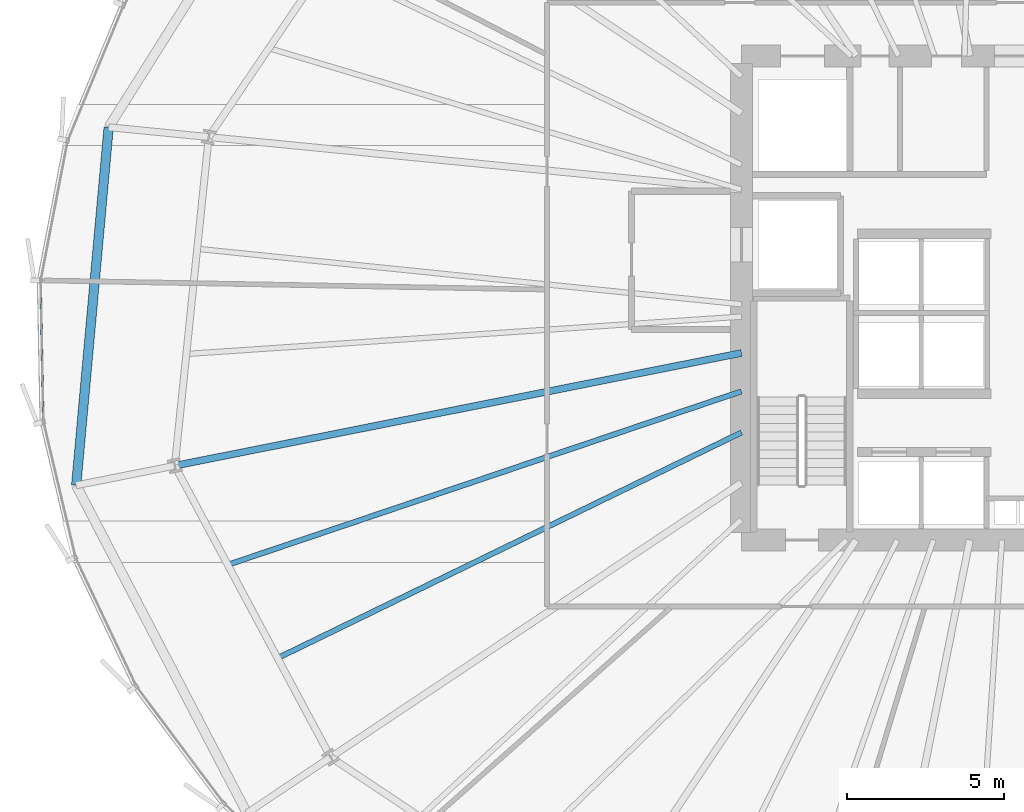
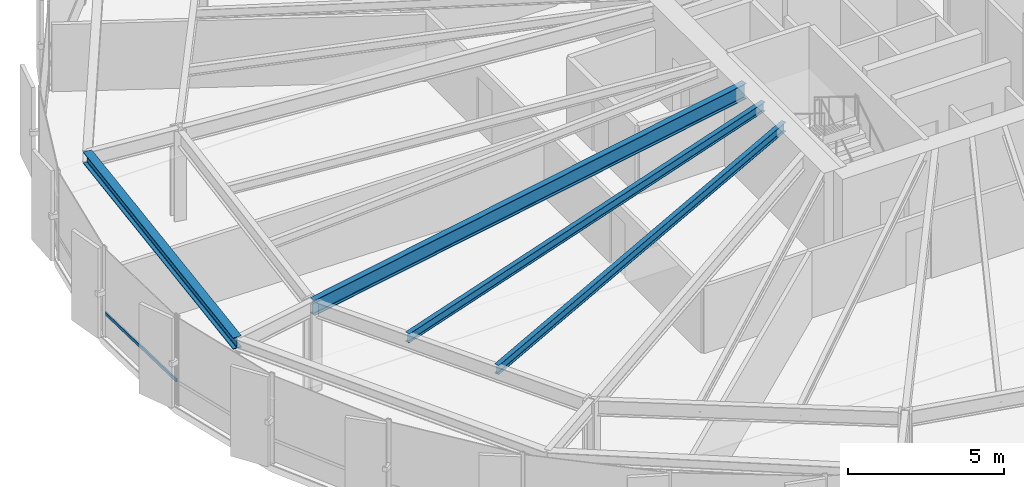
# One storey, part 8 of 37: 4 beams, 1 member, 1 element without a shape of its own.
"""IFC4 building model written with IfcOpenShell, lengths in metres."""

from ifc_helpers import new_model, si_unit, direction, frame, origin, origin_2d, place, context, subcontext, project, spatial, hollow_rectangle, i_section, extrude, source, transform, mapped, material, layer, layer_set, material_profile, profile_set, type_object, element, aggregate, save


model = new_model("IFC4")

# Units and contexts
model_context = context("Model", 3, precision=1e-05, world=origin(), true_north=direction((0.0, 1.0)))
body_context = subcontext(model_context, "Body", "Model", "MODEL_VIEW")
ifc_project = project(units=[si_unit("LENGTHUNIT", "METRE"), si_unit("AREAUNIT", "SQUARE_METRE"), si_unit("VOLUMEUNIT", "CUBIC_METRE"), si_unit("PLANEANGLEUNIT", "RADIAN"), si_unit("MASSUNIT", "GRAM", prefix="KILO"), si_unit("THERMODYNAMICTEMPERATUREUNIT", "KELVIN")], contexts=[model_context])

# Site, building, storey
site_placement = place(None, origin())
site = spatial("IfcSite", under=ifc_project, at=site_placement, CompositionType="ELEMENT")
building_placement = place(site_placement, origin())
building = spatial("IfcBuilding", under=site, at=building_placement, Name="Kethvar Cultural Tower", CompositionType="ELEMENT")
storey_placement = place(building_placement, frame((0.0, 0.0, 60.0)))
storey = spatial("IfcBuildingStorey", under=building, at=storey_placement, Name="L14", CompositionType="ELEMENT", Elevation=60.0)

# Beams
ifc_material_1 = material(Name="Steel S355J2", Category="steel")
ifc_material_profile_1 = material_profile(ifc_material_1, i_section(OverallWidth=0.219970703125, OverallDepth=0.60009765625, WebThickness=0.011962890625, FlangeThickness=0.01904296875, FilletRadius=0.02392578125, at=origin_2d()), Name="Steel S355J2 — IPE600")
ifc_profile_set_1 = profile_set([ifc_material_profile_1], Name="Steel S355J2 — IPE600")
beam_type_1 = type_object("IfcBeamType", Name="BM-IPE600", PredefinedType="BEAM", material=ifc_profile_set_1)
shared_shape_1 = source(origin(), body_context, "Body", "SweptSolid", [
    extrude(i_section(OverallWidth=0.219970703125, OverallDepth=0.60009765625, WebThickness=0.011962890625, FlangeThickness=0.01904296875, FilletRadius=0.02392578125, at=origin_2d()), origin(), (0.0, 0.0, 1.0), 18.387451171875),
])
beam_1_placement = place(storey_placement, frame((38.0, 26.049560546875, 3.248046875), z_axis=(-0.980785937774, -0.195087017162, 0.0), x_axis=(0.195087017162, -0.980785937774, 0.0)))
element("IfcBeam", 1, at=beam_1_placement, inside=storey, type_object=beam_type_1, Name="L14 Primary Radial Beam RB-09", PredefinedType="BEAM", context=body_context, shape_type="MappedRepresentation", body=[
    mapped(shared_shape_1, transform((0.0, 0.0, 0.0), scale=1.0)),
])
ifc_material_profile_2 = material_profile(ifc_material_1, i_section(OverallWidth=0.300048828125, OverallDepth=0.449951171875, WebThickness=0.013916015625, FlangeThickness=0.02587890625, FilletRadius=0.027099609375, at=origin_2d()), Name="Steel S355J2 — HEB450")
ifc_profile_set_2 = profile_set([ifc_material_profile_2], Name="Steel S355J2 — HEB450")
beam_type_2 = type_object("IfcBeamType", Name="BM-SP450", PredefinedType="SPANDREL", material=ifc_profile_set_2)
shared_shape_2 = source(origin(), body_context, "Body", "SweptSolid", [
    extrude(i_section(OverallWidth=0.300048828125, OverallDepth=0.449951171875, WebThickness=0.013916015625, FlangeThickness=0.02587890625, FilletRadius=0.027099609375, at=origin_2d()), origin(), (0.0, 0.0, 1.0), 11.445556640625),
])
beam_2_placement = place(storey_placement, frame((17.862548828125, 33.23681640625, 3.322998046875), z_axis=(-0.090441506594, -0.995901769195, 0.0), x_axis=(0.995901769195, -0.090441506594, 0.0)))
element("IfcBeam", 2, at=beam_2_placement, inside=storey, type_object=beam_type_2, Name="L14 Perimeter Spandrel Beam SP-08", PredefinedType="SPANDREL", context=body_context, shape_type="MappedRepresentation", body=[
    mapped(shared_shape_2, transform((0.0, 0.0, 0.0), scale=1.0)),
])
ifc_material_profile_3 = material_profile(ifc_material_1, i_section(OverallWidth=0.169921875, OverallDepth=0.360107421875, WebThickness=0.008056640625, FlangeThickness=0.0126953125, FilletRadius=0.01806640625, at=origin_2d()), Name="Steel S355J2 — IPE360")
ifc_profile_set_3 = profile_set([ifc_material_profile_3], Name="Steel S355J2 — IPE360")
beam_type_3 = type_object("IfcBeamType", Name="BM-J360", PredefinedType="JOIST", material=ifc_profile_set_3)
shared_shape_3 = source(origin(), body_context, "Body", "SweptSolid", [
    extrude(i_section(OverallWidth=0.169921875, OverallDepth=0.360107421875, WebThickness=0.008056640625, FlangeThickness=0.0126953125, FilletRadius=0.01806640625, at=origin_2d()), origin(), (0.0, 0.0, 1.0), 17.255126953125),
])
beam_3_placement = place(storey_placement, frame((38.0, 24.828369140625, 3.367919921875), z_axis=(-0.947435140552, -0.319947893332, 0.0), x_axis=(0.319947893332, -0.947435140552, 0.0)))
element("IfcBeam", 3, at=beam_3_placement, inside=storey, type_object=beam_type_3, Name="L14 Composite Floor Joist J-09A", PredefinedType="JOIST", context=body_context, shape_type="MappedRepresentation", body=[
    mapped(shared_shape_3, transform((0.0, 0.0, 0.0), scale=1.0)),
])
shared_shape_4 = source(origin(), body_context, "Body", "SweptSolid", [
    extrude(i_section(OverallWidth=0.169921875, OverallDepth=0.360107421875, WebThickness=0.008056640625, FlangeThickness=0.0126953125, FilletRadius=0.01806640625, at=origin_2d()), origin(), (0.0, 0.0, 1.0), 16.4150390625),
])
beam_4_placement = place(storey_placement, frame((38.0, 23.51904296875, 3.367919921875), z_axis=(-0.899246473736, -0.437442315595, 0.0), x_axis=(0.437442315595, -0.899246473736, 0.0)))
element("IfcBeam", 4, at=beam_4_placement, inside=storey, type_object=beam_type_3, Name="L14 Composite Floor Joist J-09B", PredefinedType="JOIST", context=body_context, shape_type="MappedRepresentation", body=[
    mapped(shared_shape_4, transform((0.0, 0.0, 0.0), scale=1.0)),
])

# Curtain wall, member
ifc_material_2 = material(Name="Aluminium 6063-T6", Category="aluminium")
ifc_layer = layer(ifc_material_2, 0.179931640625, Name="Aluminium 6063-T6", Category="aluminium")
ifc_layer_set = layer_set([ifc_layer], Name="Aluminium 6063-T6 (180 mm)")
curtain_wall_type = type_object("IfcCurtainWallType", Name="CW-SYS-02-Z1", PredefinedType="NOTDEFINED", material=ifc_layer_set)
curtain_wall_placement = place(storey_placement, origin())
curtain_wall = element("IfcCurtainWall", 5, at=curtain_wall_placement, inside=storey, type_object=curtain_wall_type, Name="L14 Curtain Wall Run 03", PredefinedType="NOTDEFINED")
ifc_material_profile_4 = material_profile(ifc_material_2, hollow_rectangle(XDim=0.054931640625, YDim=0.1201171875, WallThickness=0.00390625, at=origin_2d()), Name="Aluminium 6063-T6 — RHS120x55x4")
ifc_profile_set_4 = profile_set([ifc_material_profile_4], Name="Aluminium 6063-T6 — RHS120x55x4")
member_type = type_object("IfcMemberType", Name="CW-SYS-02-Z1-TRN", PredefinedType="USERDEFINED", material=ifc_profile_set_4)
shared_shape_5 = source(origin(), body_context, "Body", "SweptSolid", [
    extrude(hollow_rectangle(XDim=0.054931640625, YDim=0.1201171875, WallThickness=0.00390625, at=origin_2d()), origin(), (0.0, 0.0, 1.0), 4.399658203125),
])
member_placement = place(storey_placement, frame((15.695068359375, 28.314208984375, 0.949951171875), z_axis=(0.019310417954, -0.999813536495, 0.0), x_axis=(0.999813536495, 0.019310417954, 0.0)))
member = element("IfcMember", 6, at=member_placement, type_object=member_type, Name="CW-L14-R03 Transom 6", ObjectType="TRANSOM", PredefinedType="USERDEFINED", context=body_context, shape_type="MappedRepresentation", body=[
    mapped(shared_shape_5, transform((0.0, 0.0, 0.0), scale=1.0)),
])
aggregate(curtain_wall, [member])

save(model, "model.ifc")
